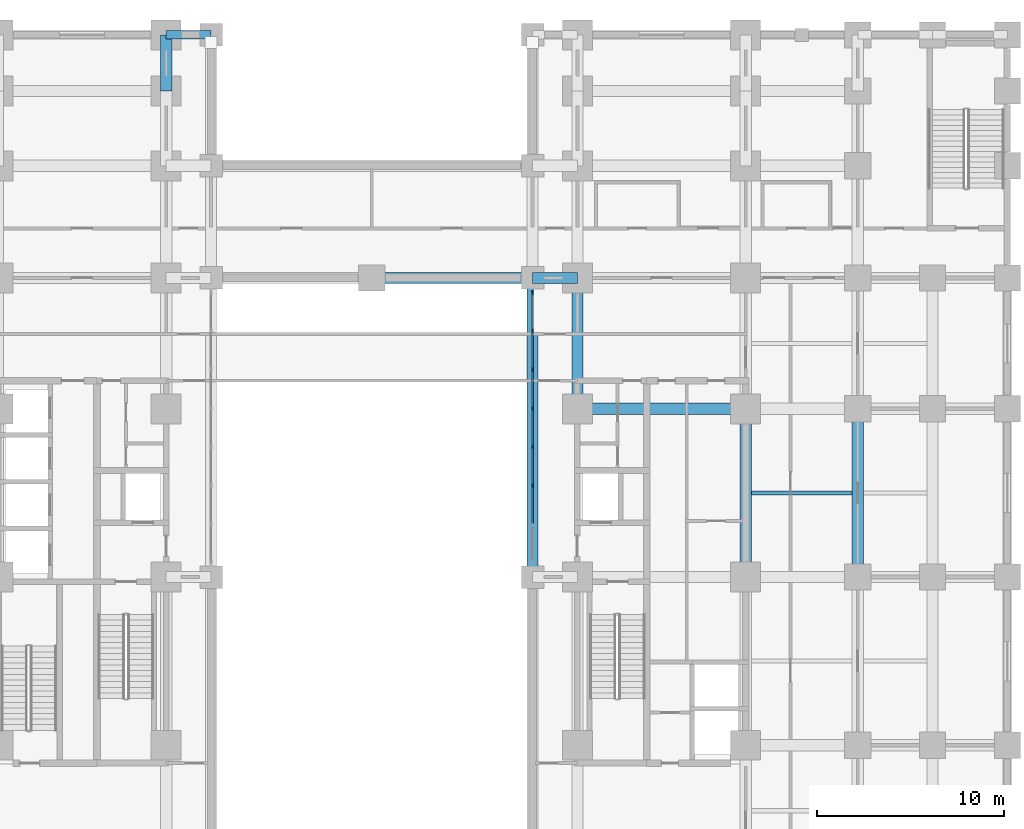
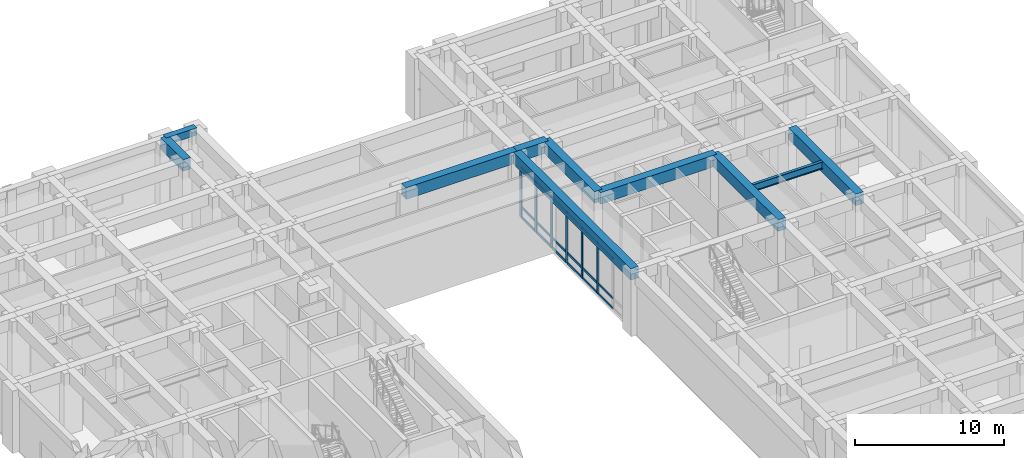
# One storey, part 5 of 21: 24 members, 10 beams, 1 element without a shape of its own.
"""IFC4 building model written with IfcOpenShell, lengths in metres."""

from ifc_helpers import new_model, si_unit, direction, frame, origin, origin_2d, place, context, subcontext, project, spatial, rectangle, i_section, extrude, material, material_profile, profile_set, type_object, element, aggregate, save


model = new_model("IFC4")

# Units and contexts
model_context = context("Model", 3, precision=1e-05, world=origin(), true_north=direction((0.0, 1.0)))
body_context = subcontext(model_context, "Body", "Model", "MODEL_VIEW")
ifc_project = project(units=[si_unit("LENGTHUNIT", "METRE"), si_unit("AREAUNIT", "SQUARE_METRE"), si_unit("VOLUMEUNIT", "CUBIC_METRE"), si_unit("PLANEANGLEUNIT", "RADIAN"), si_unit("MASSUNIT", "GRAM", prefix="KILO")], contexts=[model_context])

# Site, building, storey
site_placement = place(None, origin())
site = spatial("IfcSite", under=ifc_project, at=site_placement, CompositionType="ELEMENT")
building_placement = place(site_placement, origin())
building = spatial("IfcBuilding", under=site, at=building_placement, Name="Zulmaris Gate Convention Tower", CompositionType="ELEMENT")
storey_placement = place(building_placement, frame((0.0, 0.0, 5.43994140625)))
storey = spatial("IfcBuildingStorey", under=building, at=storey_placement, Name="L01", CompositionType="ELEMENT", Elevation=5.43994140625)

# Beams
ifc_material_1 = material(Name="Concrete C60/75", Category="concrete")
ifc_material_profile_1 = material_profile(ifc_material_1, rectangle(XDim=0.60009765625, YDim=0.949951171875, at=origin_2d()), Name="RC BEAM 600x950")
ifc_profile_set_1 = profile_set([ifc_material_profile_1], Name="Concrete C60/75")
beam_type_1 = type_object("IfcBeamType", Name="BM-RC600x950", PredefinedType="BEAM", material=ifc_profile_set_1)
beam_1_placement = place(storey_placement, frame((11.0, 9.0, 4.614990234375), z_axis=(1.0, 0.0, 0.0), x_axis=(0.0, 1.0, 0.0)))
element("IfcBeam", 1, at=beam_1_placement, inside=storey, type_object=beam_type_1, Name="L01 Beam BM-L01-X-+9.0-+11.0", PredefinedType="BEAM", context=body_context, shape_type="SweptSolid", body=[
    extrude(rectangle(XDim=0.60009765625, YDim=0.949951171875, at=origin_2d()), origin(), (0.0, 0.0, 1.0), 9.0),
])
beam_2_placement = place(storey_placement, frame((0.0, 16.0, 4.614990234375), z_axis=(1.0, 0.0, 0.0), x_axis=(0.0, 1.0, 0.0)))
element("IfcBeam", 2, at=beam_2_placement, inside=storey, type_object=beam_type_1, Name="L01 Beam BM-L01-X-+16.0-+0.0", PredefinedType="BEAM", context=body_context, shape_type="SweptSolid", body=[
    extrude(rectangle(XDim=0.60009765625, YDim=0.949951171875, at=origin_2d()), origin(), (0.0, 0.0, 1.0), 8.60009765625),
])
beam_3_placement = place(storey_placement, frame((8.60009765625, 16.0, 4.614990234375), z_axis=(1.0, 0.0, 0.0), x_axis=(0.0, 1.0, 0.0)))
element("IfcBeam", 3, at=beam_3_placement, inside=storey, type_object=beam_type_1, Name="L01 Beam BM-L01-X-+16.0-+8.6", PredefinedType="BEAM", context=body_context, shape_type="SweptSolid", body=[
    extrude(rectangle(XDim=0.60009765625, YDim=0.949951171875, at=origin_2d()), origin(), (0.0, 0.0, 1.0), 2.39990234375),
])
beam_4_placement = place(storey_placement, frame((-11.0, 26.0, 4.614990234375), z_axis=(0.0, 1.0, 0.0), x_axis=(-1.0, 0.0, 0.0)))
element("IfcBeam", 4, at=beam_4_placement, inside=storey, type_object=beam_type_1, Name="L01 Beam BM-L01-Y--11.0-+26.0", PredefinedType="BEAM", context=body_context, shape_type="SweptSolid", body=[
    extrude(rectangle(XDim=0.60009765625, YDim=0.949951171875, at=origin_2d()), origin(), (0.0, 0.0, 1.0), 3.0),
])
beam_5_placement = place(storey_placement, frame((8.60009765625, 0.0, 4.614990234375), z_axis=(0.0, 1.0, 0.0), x_axis=(-1.0, 0.0, 0.0)))
element("IfcBeam", 5, at=beam_5_placement, inside=storey, type_object=beam_type_1, Name="L01 Beam BM-L01-Y-+8.6-+0.0", PredefinedType="BEAM", context=body_context, shape_type="SweptSolid", body=[
    extrude(rectangle(XDim=0.60009765625, YDim=0.949951171875, at=origin_2d()), origin(), (0.0, 0.0, 1.0), 16.0),
])
beam_6_placement = place(storey_placement, frame((11.0, 9.0, 4.614990234375), z_axis=(0.0, 1.0, 0.0), x_axis=(-1.0, 0.0, 0.0)))
element("IfcBeam", 6, at=beam_6_placement, inside=storey, type_object=beam_type_1, Name="L01 Beam BM-L01-Y-+11.0-+9.0", PredefinedType="BEAM", context=body_context, shape_type="SweptSolid", body=[
    extrude(rectangle(XDim=0.60009765625, YDim=0.949951171875, at=origin_2d()), origin(), (0.0, 0.0, 1.0), 7.0),
])
for number, where, z_axis, x_axis, name in (
    (7, (20.0, 0.0, 4.614990234375), (0.0, 1.0, 0.0), (-1.0, 0.0, 0.0), "L01 Beam BM-L01-Y-+20.0-+0.0"),
    (8, (26.0, 0.0, 4.614990234375), (0.0, 1.0, 0.0), (-1.0, 0.0, 0.0), "L01 Beam BM-L01-Y-+26.0-+0.0"),
):
    element("IfcBeam", number, at=place(storey_placement, frame(where, z_axis=z_axis, x_axis=x_axis)), inside=storey, type_object=beam_type_1, Name=name, PredefinedType="BEAM", context=body_context, shape_type="SweptSolid", body=[
        extrude(rectangle(XDim=0.60009765625, YDim=0.949951171875, at=origin_2d()), origin(), (0.0, 0.0, 1.0), 9.0),
    ])
ifc_material_2 = material(Name="Precast concrete C50/60", Category="concrete")
ifc_material_profile_2 = material_profile(ifc_material_2, rectangle(XDim=0.449951171875, YDim=0.60009765625, at=origin_2d()), Name="RC SPANDREL 450x600")
ifc_profile_set_2 = profile_set([ifc_material_profile_2], Name="Precast concrete C50/60")
beam_type_2 = type_object("IfcBeamType", Name="BM-SP450x600", PredefinedType="SPANDREL", material=ifc_profile_set_2)
beam_7_placement = place(storey_placement, frame((-11.0, 29.0, 4.7900390625), z_axis=(1.0, 0.0, 0.0), x_axis=(0.0, 1.0, 0.0)))
element("IfcBeam", 9, at=beam_7_placement, inside=storey, type_object=beam_type_2, Name="L01 Spandrel BM-L01-X-+29.0--11.0", PredefinedType="SPANDREL", context=body_context, shape_type="SweptSolid", body=[
    extrude(rectangle(XDim=0.449951171875, YDim=0.60009765625, at=origin_2d()), origin(), (0.0, 0.0, 1.0), 2.39990234375),
])

# Curtain wall, members
ifc_material_3 = material(Name="Anodised Aluminium", Category="aluminium")
curtain_wall_type = type_object("IfcCurtainWallType", Name="CW-02", PredefinedType="NOTDEFINED", material=ifc_material_3)
curtain_wall_placement = place(storey_placement, origin())
curtain_wall = element("IfcCurtainWall", 10, at=curtain_wall_placement, inside=storey, type_object=curtain_wall_type, Name="CW-02 CW02-L01-EL_0", PredefinedType="NOTDEFINED")
ifc_material_profile_3 = material_profile(ifc_material_3, rectangle(XDim=0.090087890625, YDim=0.219970703125, at=origin_2d()), Name="ALU MULLION 90x220")
ifc_profile_set_3 = profile_set([ifc_material_profile_3], Name="Anodised Aluminium")
member_type_1 = type_object("IfcMemberType", Name="CW-02-MULL", PredefinedType="MULLION", material=ifc_profile_set_3)
member_1_placement = place(storey_placement, frame((8.60009765625, 15.195068359375, 0.0), z_axis=(0.0, 0.0, 1.0), x_axis=(1.0, 0.0, 0.0)))
member_1 = element("IfcMember", 11, at=member_1_placement, type_object=member_type_1, Name="CW-02 mullion 1", PredefinedType="MULLION", context=body_context, shape_type="SweptSolid", body=[
    extrude(rectangle(XDim=0.090087890625, YDim=0.219970703125, at=origin_2d()), origin(), (0.0, 0.0, 1.0), 4.132080078125),
])
member_2_placement = place(storey_placement, frame((8.60009765625, 13.17138671875, 0.0), z_axis=(0.0, 0.0, 1.0), x_axis=(1.0, 0.0, 0.0)))
member_2 = element("IfcMember", 12, at=member_2_placement, type_object=member_type_1, Name="CW-02 mullion 2", PredefinedType="MULLION", context=body_context, shape_type="SweptSolid", body=[
    extrude(rectangle(XDim=0.090087890625, YDim=0.219970703125, at=origin_2d()), origin(), (0.0, 0.0, 1.0), 4.132080078125),
])
member_3_placement = place(storey_placement, frame((8.60009765625, 11.102783203125, 0.0), z_axis=(0.0, 0.0, 1.0), x_axis=(1.0, 0.0, 0.0)))
member_3 = element("IfcMember", 13, at=member_3_placement, type_object=member_type_1, Name="CW-02 mullion 3", PredefinedType="MULLION", context=body_context, shape_type="SweptSolid", body=[
    extrude(rectangle(XDim=0.090087890625, YDim=0.219970703125, at=origin_2d()), origin(), (0.0, 0.0, 1.0), 4.132080078125),
])
member_4_placement = place(storey_placement, frame((8.60009765625, 9.0341796875, 0.0), z_axis=(0.0, 0.0, 1.0), x_axis=(1.0, 0.0, 0.0)))
member_4 = element("IfcMember", 14, at=member_4_placement, type_object=member_type_1, Name="CW-02 mullion 4", PredefinedType="MULLION", context=body_context, shape_type="SweptSolid", body=[
    extrude(rectangle(XDim=0.090087890625, YDim=0.219970703125, at=origin_2d()), origin(), (0.0, 0.0, 1.0), 4.132080078125),
])
member_5_placement = place(storey_placement, frame((8.60009765625, 6.9658203125, 0.0), z_axis=(0.0, 0.0, 1.0), x_axis=(1.0, 0.0, 0.0)))
member_5 = element("IfcMember", 15, at=member_5_placement, type_object=member_type_1, Name="CW-02 mullion 5", PredefinedType="MULLION", context=body_context, shape_type="SweptSolid", body=[
    extrude(rectangle(XDim=0.090087890625, YDim=0.219970703125, at=origin_2d()), origin(), (0.0, 0.0, 1.0), 4.132080078125),
])
member_6_placement = place(storey_placement, frame((8.60009765625, 4.897216796875, 0.0), z_axis=(0.0, 0.0, 1.0), x_axis=(1.0, 0.0, 0.0)))
member_6 = element("IfcMember", 16, at=member_6_placement, type_object=member_type_1, Name="CW-02 mullion 6", PredefinedType="MULLION", context=body_context, shape_type="SweptSolid", body=[
    extrude(rectangle(XDim=0.090087890625, YDim=0.219970703125, at=origin_2d()), origin(), (0.0, 0.0, 1.0), 4.132080078125),
])
ifc_material_profile_4 = material_profile(ifc_material_3, rectangle(XDim=0.090087890625, YDim=0.179931640625, at=origin_2d()), Name="ALU TRANSOM 90x180")
ifc_profile_set_4 = profile_set([ifc_material_profile_4], Name="Anodised Aluminium")
member_type_2 = type_object("IfcMemberType", Name="CW-02-TRAN", PredefinedType="USERDEFINED", material=ifc_profile_set_4)
member_7_placement = place(storey_placement, frame((8.60009765625, 15.14990234375, 0.044921875), z_axis=(0.0, -1.0, 0.0), x_axis=(1.0, 0.0, 0.0)))
member_7 = element("IfcMember", 17, at=member_7_placement, type_object=member_type_2, Name="CW-02 transom 1.1", ObjectType="TRANSOM", PredefinedType="USERDEFINED", context=body_context, shape_type="SweptSolid", body=[
    extrude(rectangle(XDim=0.090087890625, YDim=0.179931640625, at=origin_2d()), origin(), (0.0, 0.0, 1.0), 1.93359375),
])
member_8_placement = place(storey_placement, frame((8.60009765625, 15.14990234375, 0.849853515625), z_axis=(0.0, -1.0, 0.0), x_axis=(1.0, 0.0, 0.0)))
member_8 = element("IfcMember", 18, at=member_8_placement, type_object=member_type_2, Name="CW-02 transom 1.2", ObjectType="TRANSOM", PredefinedType="USERDEFINED", context=body_context, shape_type="SweptSolid", body=[
    extrude(rectangle(XDim=0.090087890625, YDim=0.179931640625, at=origin_2d()), origin(), (0.0, 0.0, 1.0), 1.93359375),
])
member_9_placement = place(storey_placement, frame((8.60009765625, 15.14990234375, 4.0869140625), z_axis=(0.0, -1.0, 0.0), x_axis=(1.0, 0.0, 0.0)))
member_9 = element("IfcMember", 19, at=member_9_placement, type_object=member_type_2, Name="CW-02 transom 1.3", ObjectType="TRANSOM", PredefinedType="USERDEFINED", context=body_context, shape_type="SweptSolid", body=[
    extrude(rectangle(XDim=0.090087890625, YDim=0.179931640625, at=origin_2d()), origin(), (0.0, 0.0, 1.0), 1.93359375),
])
member_10_placement = place(storey_placement, frame((8.60009765625, 13.12646484375, 0.044921875), z_axis=(0.0, -1.0, 0.0), x_axis=(1.0, 0.0, 0.0)))
member_10 = element("IfcMember", 20, at=member_10_placement, type_object=member_type_2, Name="CW-02 transom 2.1", ObjectType="TRANSOM", PredefinedType="USERDEFINED", context=body_context, shape_type="SweptSolid", body=[
    extrude(rectangle(XDim=0.090087890625, YDim=0.179931640625, at=origin_2d()), origin(), (0.0, 0.0, 1.0), 1.978515625),
])
member_11_placement = place(storey_placement, frame((8.60009765625, 13.12646484375, 0.849853515625), z_axis=(0.0, -1.0, 0.0), x_axis=(1.0, 0.0, 0.0)))
member_11 = element("IfcMember", 21, at=member_11_placement, type_object=member_type_2, Name="CW-02 transom 2.2", ObjectType="TRANSOM", PredefinedType="USERDEFINED", context=body_context, shape_type="SweptSolid", body=[
    extrude(rectangle(XDim=0.090087890625, YDim=0.179931640625, at=origin_2d()), origin(), (0.0, 0.0, 1.0), 1.978515625),
])
member_12_placement = place(storey_placement, frame((8.60009765625, 13.12646484375, 4.0869140625), z_axis=(0.0, -1.0, 0.0), x_axis=(1.0, 0.0, 0.0)))
member_12 = element("IfcMember", 22, at=member_12_placement, type_object=member_type_2, Name="CW-02 transom 2.3", ObjectType="TRANSOM", PredefinedType="USERDEFINED", context=body_context, shape_type="SweptSolid", body=[
    extrude(rectangle(XDim=0.090087890625, YDim=0.179931640625, at=origin_2d()), origin(), (0.0, 0.0, 1.0), 1.978515625),
])
member_13_placement = place(storey_placement, frame((8.60009765625, 11.057861328125, 0.044921875), z_axis=(0.0, -1.0, 0.0), x_axis=(1.0, 0.0, 0.0)))
member_13 = element("IfcMember", 23, at=member_13_placement, type_object=member_type_2, Name="CW-02 transom 3.1", ObjectType="TRANSOM", PredefinedType="USERDEFINED", context=body_context, shape_type="SweptSolid", body=[
    extrude(rectangle(XDim=0.090087890625, YDim=0.179931640625, at=origin_2d()), origin(), (0.0, 0.0, 1.0), 1.978515625),
])
member_14_placement = place(storey_placement, frame((8.60009765625, 11.057861328125, 0.849853515625), z_axis=(0.0, -1.0, 0.0), x_axis=(1.0, 0.0, 0.0)))
member_14 = element("IfcMember", 24, at=member_14_placement, type_object=member_type_2, Name="CW-02 transom 3.2", ObjectType="TRANSOM", PredefinedType="USERDEFINED", context=body_context, shape_type="SweptSolid", body=[
    extrude(rectangle(XDim=0.090087890625, YDim=0.179931640625, at=origin_2d()), origin(), (0.0, 0.0, 1.0), 1.978515625),
])
member_15_placement = place(storey_placement, frame((8.60009765625, 11.057861328125, 4.0869140625), z_axis=(0.0, -1.0, 0.0), x_axis=(1.0, 0.0, 0.0)))
member_15 = element("IfcMember", 25, at=member_15_placement, type_object=member_type_2, Name="CW-02 transom 3.3", ObjectType="TRANSOM", PredefinedType="USERDEFINED", context=body_context, shape_type="SweptSolid", body=[
    extrude(rectangle(XDim=0.090087890625, YDim=0.179931640625, at=origin_2d()), origin(), (0.0, 0.0, 1.0), 1.978515625),
])
member_16_placement = place(storey_placement, frame((8.60009765625, 8.9892578125, 0.044921875), z_axis=(0.0, -1.0, 0.0), x_axis=(1.0, 0.0, 0.0)))
member_16 = element("IfcMember", 26, at=member_16_placement, type_object=member_type_2, Name="CW-02 transom 4.1", ObjectType="TRANSOM", PredefinedType="USERDEFINED", context=body_context, shape_type="SweptSolid", body=[
    extrude(rectangle(XDim=0.090087890625, YDim=0.179931640625, at=origin_2d()), origin(), (0.0, 0.0, 1.0), 1.978515625),
])
member_17_placement = place(storey_placement, frame((8.60009765625, 8.9892578125, 0.849853515625), z_axis=(0.0, -1.0, 0.0), x_axis=(1.0, 0.0, 0.0)))
member_17 = element("IfcMember", 27, at=member_17_placement, type_object=member_type_2, Name="CW-02 transom 4.2", ObjectType="TRANSOM", PredefinedType="USERDEFINED", context=body_context, shape_type="SweptSolid", body=[
    extrude(rectangle(XDim=0.090087890625, YDim=0.179931640625, at=origin_2d()), origin(), (0.0, 0.0, 1.0), 1.978515625),
])
member_18_placement = place(storey_placement, frame((8.60009765625, 8.9892578125, 4.0869140625), z_axis=(0.0, -1.0, 0.0), x_axis=(1.0, 0.0, 0.0)))
member_18 = element("IfcMember", 28, at=member_18_placement, type_object=member_type_2, Name="CW-02 transom 4.3", ObjectType="TRANSOM", PredefinedType="USERDEFINED", context=body_context, shape_type="SweptSolid", body=[
    extrude(rectangle(XDim=0.090087890625, YDim=0.179931640625, at=origin_2d()), origin(), (0.0, 0.0, 1.0), 1.978515625),
])
member_19_placement = place(storey_placement, frame((8.60009765625, 6.920654296875, 0.044921875), z_axis=(0.0, -1.0, 0.0), x_axis=(1.0, 0.0, 0.0)))
member_19 = element("IfcMember", 29, at=member_19_placement, type_object=member_type_2, Name="CW-02 transom 5.1", ObjectType="TRANSOM", PredefinedType="USERDEFINED", context=body_context, shape_type="SweptSolid", body=[
    extrude(rectangle(XDim=0.090087890625, YDim=0.179931640625, at=origin_2d()), origin(), (0.0, 0.0, 1.0), 1.978515625),
])
member_20_placement = place(storey_placement, frame((8.60009765625, 6.920654296875, 0.849853515625), z_axis=(0.0, -1.0, 0.0), x_axis=(1.0, 0.0, 0.0)))
member_20 = element("IfcMember", 30, at=member_20_placement, type_object=member_type_2, Name="CW-02 transom 5.2", ObjectType="TRANSOM", PredefinedType="USERDEFINED", context=body_context, shape_type="SweptSolid", body=[
    extrude(rectangle(XDim=0.090087890625, YDim=0.179931640625, at=origin_2d()), origin(), (0.0, 0.0, 1.0), 1.978515625),
])
member_21_placement = place(storey_placement, frame((8.60009765625, 6.920654296875, 4.0869140625), z_axis=(0.0, -1.0, 0.0), x_axis=(1.0, 0.0, 0.0)))
member_21 = element("IfcMember", 31, at=member_21_placement, type_object=member_type_2, Name="CW-02 transom 5.3", ObjectType="TRANSOM", PredefinedType="USERDEFINED", context=body_context, shape_type="SweptSolid", body=[
    extrude(rectangle(XDim=0.090087890625, YDim=0.179931640625, at=origin_2d()), origin(), (0.0, 0.0, 1.0), 1.978515625),
])
member_22_placement = place(storey_placement, frame((8.60009765625, 4.85205078125, 0.044921875), z_axis=(0.0, -1.0, 0.0), x_axis=(1.0, 0.0, 0.0)))
member_22 = element("IfcMember", 32, at=member_22_placement, type_object=member_type_2, Name="CW-02 transom 6.1", ObjectType="TRANSOM", PredefinedType="USERDEFINED", context=body_context, shape_type="SweptSolid", body=[
    extrude(rectangle(XDim=0.090087890625, YDim=0.179931640625, at=origin_2d()), origin(), (0.0, 0.0, 1.0), 1.978515625),
])
member_23_placement = place(storey_placement, frame((8.60009765625, 4.85205078125, 0.849853515625), z_axis=(0.0, -1.0, 0.0), x_axis=(1.0, 0.0, 0.0)))
member_23 = element("IfcMember", 33, at=member_23_placement, type_object=member_type_2, Name="CW-02 transom 6.2", ObjectType="TRANSOM", PredefinedType="USERDEFINED", context=body_context, shape_type="SweptSolid", body=[
    extrude(rectangle(XDim=0.090087890625, YDim=0.179931640625, at=origin_2d()), origin(), (0.0, 0.0, 1.0), 1.978515625),
])
member_24_placement = place(storey_placement, frame((8.60009765625, 4.85205078125, 4.0869140625), z_axis=(0.0, -1.0, 0.0), x_axis=(1.0, 0.0, 0.0)))
member_24 = element("IfcMember", 34, at=member_24_placement, type_object=member_type_2, Name="CW-02 transom 6.3", ObjectType="TRANSOM", PredefinedType="USERDEFINED", context=body_context, shape_type="SweptSolid", body=[
    extrude(rectangle(XDim=0.090087890625, YDim=0.179931640625, at=origin_2d()), origin(), (0.0, 0.0, 1.0), 1.978515625),
])
aggregate(curtain_wall, [member_1, member_2, member_3, member_4, member_5, member_6, member_7, member_8, member_9, member_10, member_11, member_12, member_13, member_14, member_15, member_16, member_17, member_18, member_19, member_20, member_21, member_22, member_23, member_24])

# Beam
ifc_material_4 = material(Name="Steel S355", Category="steel")
ifc_material_profile_5 = material_profile(ifc_material_4, i_section(OverallWidth=0.219970703125, OverallDepth=0.60009765625, WebThickness=0.011962890625, FlangeThickness=0.01904296875, FilletRadius=0.02392578125, at=origin_2d()), Name="IPE 600")
ifc_profile_set_5 = profile_set([ifc_material_profile_5], Name="Steel S355")
beam_type_3 = type_object("IfcBeamType", Name="JT-IPE600", PredefinedType="JOIST", material=ifc_profile_set_5)
beam_8_placement = place(storey_placement, frame((20.300048828125, 4.5, 4.787841796875), z_axis=(1.0, 0.0, 0.0), x_axis=(0.0, 1.0, 0.0)))
element("IfcBeam", 35, at=beam_8_placement, inside=storey, type_object=beam_type_3, Name="L01 Joist JT-L01-+20_+26-+4.5", PredefinedType="JOIST", context=body_context, shape_type="SweptSolid", body=[
    extrude(i_section(OverallWidth=0.219970703125, OverallDepth=0.60009765625, WebThickness=0.011962890625, FlangeThickness=0.01904296875, FilletRadius=0.02392578125, at=origin_2d()), origin(), (0.0, 0.0, 1.0), 5.39990234375),
])

save(model, "model.ifc")
